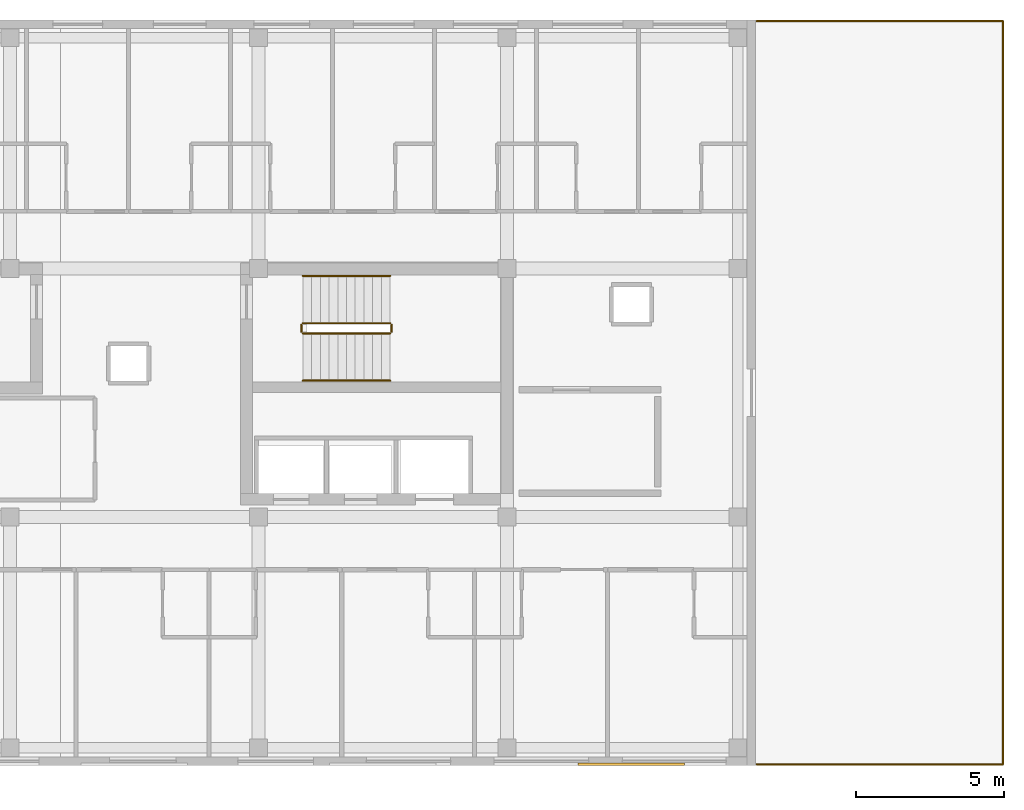
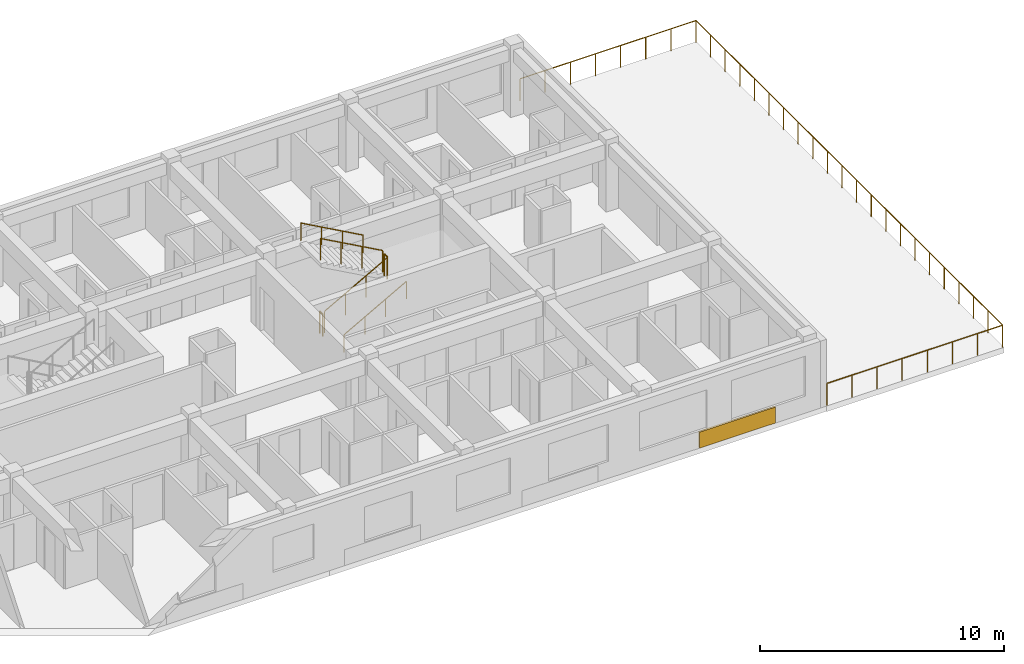
# One storey, part 9 of 9: 9 railings, 1 covering.
"""IFC4 building model written with IfcOpenShell, lengths in metres."""

import ifcopenshell
import ifcopenshell.guid

model = None  # the IFC model being written
_history = None  # IfcOwnerHistory: only IFC2X3 demands one
_inside = {}  # id of a spatial element -> (the spatial element, [elements in it])
_under = {}  # id of a project, library or spatial element -> (it, [spatial elements below it])
_declared = {}  # id of a project -> (the project, [libraries it declares])
_typed = {}  # id of a type object -> (the type object, [elements of that type])
_made_of = {}  # id of a material, layer set ... -> (it, [elements and type objects made of it])


def new_model(schema):
    """Start an empty IFC model of exactly this schema.

    Asked for "IFC4X3", IfcOpenShell would pick the latest addendum, in which some entities
    have other attributes; the version numbers below select the first issue.
    IFC2X3 requires an IfcOwnerHistory on every rooted entity: one is made here for all.
    """
    global model, _history
    if schema == "IFC4X3":
        model = ifcopenshell.file(schema_version=(4, 3, 0, 0))
    else:
        model = ifcopenshell.file(schema=schema)
    _inside.clear()
    _under.clear()
    _declared.clear()
    _typed.clear()
    _made_of.clear()
    _history = None
    if model.schema == "IFC2X3":
        org = make("IfcOrganization", Name="unknown")
        user = make(
            "IfcPersonAndOrganization",
            ThePerson=make("IfcPerson", FamilyName="unknown"),
            TheOrganization=org,
        )
        app = make(
            "IfcApplication",
            ApplicationDeveloper=org,
            Version="unknown",
            ApplicationFullName="unknown",
            ApplicationIdentifier="unknown",
        )
        _history = make(
            "IfcOwnerHistory",
            OwningUser=user,
            OwningApplication=app,
            ChangeAction="ADDED",
            CreationDate=0,
        )
    return model


def make(cls, **values):
    """One entity of the class cls with the attributes given. An attribute that is None is left unset."""
    return model.create_entity(
        cls, **{name: value for name, value in values.items() if value is not None}
    )


def rooted(cls, **values):
    """An entity with a GlobalId (a new one), such as an element, a storey or a relation."""
    return make(cls, GlobalId=ifcopenshell.guid.new(), OwnerHistory=_history, **values)


def si_unit(unit_type, name, prefix=None):
    """IfcSIUnit, for example si_unit("LENGTHUNIT", "METRE", prefix="MILLI")."""
    return make("IfcSIUnit", UnitType=unit_type, Prefix=prefix, Name=name)


def assignment(units):
    """IfcUnitAssignment: the units of a project."""
    return None if units is None else make("IfcUnitAssignment", Units=units)


def point(xyz):
    """IfcCartesianPoint."""
    return None if xyz is None else make("IfcCartesianPoint", Coordinates=xyz)


def direction(xyz):
    """IfcDirection."""
    return None if xyz is None else make("IfcDirection", DirectionRatios=xyz)


def frame(location, z_axis=None, x_axis=None):
    """IfcAxis2Placement3D, a coordinate frame: its origin and axes. An axis left out is left unset."""
    return make(
        "IfcAxis2Placement3D",
        Location=point(location),
        Axis=direction(z_axis),
        RefDirection=direction(x_axis),
    )


def frame_2d(location, x_axis=None):
    """IfcAxis2Placement2D, a coordinate frame in the plane: its origin and x axis."""
    return make(
        "IfcAxis2Placement2D", Location=point(location), RefDirection=direction(x_axis)
    )


def origin():
    """The frame at (0, 0, 0) with its axes left unset."""
    return frame((0.0, 0.0, 0.0))


def origin_2d():
    """The frame at (0, 0) in the plane with its x axis left unset."""
    return frame_2d((0.0, 0.0))


def place(relative_to, where):
    """IfcLocalPlacement: puts the frame where relative to a parent placement (None: the world)."""
    return make(
        "IfcLocalPlacement", PlacementRelTo=relative_to, RelativePlacement=where
    )


def context(
    kind, dimensions, precision=None, world=None, true_north=None, identifier=None
):
    """IfcGeometricRepresentationContext, for example the 3D "Model" context."""
    return make(
        "IfcGeometricRepresentationContext",
        ContextIdentifier=identifier,
        ContextType=kind,
        CoordinateSpaceDimension=dimensions,
        Precision=precision,
        WorldCoordinateSystem=world,
        TrueNorth=true_north,
    )


def subcontext(parent, identifier, kind, view, scale=None):
    """IfcGeometricRepresentationSubContext, for example "Body" below "Model"."""
    return make(
        "IfcGeometricRepresentationSubContext",
        ContextIdentifier=identifier,
        ContextType=kind,
        ParentContext=parent,
        TargetScale=scale,
        TargetView=view,
    )


def project(units=None, contexts=None):
    """IfcProject with its units and contexts."""
    return rooted(
        "IfcProject",
        Name="project",
        RepresentationContexts=contexts,
        UnitsInContext=assignment(units),
    )


def spatial(cls, under=None, at=None, **own):
    """A site, building, storey or space (cls), placed at a placement, below another one or the project."""
    s = rooted(cls, ObjectPlacement=at, **own)
    if under is not None:
        _under.setdefault(under.id(), (under, []))[1].append(s)
    return s


def profile(cls, at=None, kind="AREA", **sizes):
    """A parametric profile (cls). Its sizes go by their IFC names, for example OverallWidth=200.0."""
    return make(cls, ProfileType=kind, Position=at, **sizes)


def rectangle(**sizes):
    """IfcRectangleProfileDef."""
    return profile("IfcRectangleProfileDef", **sizes)


def circle(**sizes):
    """IfcCircleProfileDef."""
    return profile("IfcCircleProfileDef", **sizes)


def extrude(swept, where, along, depth):
    """IfcExtrudedAreaSolid: the profile swept, set in the frame where, extruded along a direction by depth."""
    return make(
        "IfcExtrudedAreaSolid",
        SweptArea=swept,
        Position=where,
        ExtrudedDirection=direction(along),
        Depth=depth,
    )


def shape(context_of_items, identifier, shape_type, items):
    """IfcShapeRepresentation: the items that make up one representation, for example the "Body"."""
    return make(
        "IfcShapeRepresentation",
        ContextOfItems=context_of_items,
        RepresentationIdentifier=identifier,
        RepresentationType=shape_type,
        Items=items,
    )


def material(Name=None, Category=None):
    """IfcMaterial."""
    return make("IfcMaterial", Name=Name, Category=Category)


def layer(
    of_material, thickness, ventilated=None, Name=None, Category=None, Priority=None
):
    """IfcMaterialLayer: one layer of a wall or slab, of a material (None: an air gap)."""
    return make(
        "IfcMaterialLayer",
        Material=of_material,
        LayerThickness=thickness,
        IsVentilated=ventilated,
        Name=Name,
        Category=Category,
        Priority=Priority,
    )


def layer_set(layers, Name=None):
    """IfcMaterialLayerSet."""
    return make("IfcMaterialLayerSet", MaterialLayers=layers, LayerSetName=Name)


def made_of(thing, what):
    """Note that an element or type object is made of a material, layer set ...; save() writes the relation."""
    if what is not None:
        _made_of.setdefault(what.id(), (what, []))[1].append(thing)
    return thing


def type_object(cls, material=None, **own):
    """A type object (cls), such as IfcWallType, which elements share."""
    return made_of(rooted(cls, **own), material)


def element(
    cls,
    number,
    at=None,
    inside=None,
    cuts=None,
    type_object=None,
    material=None,
    context=None,
    identifier="Body",
    shape_type=None,
    held_by="IfcProductDefinitionShape",
    body=None,
    shapes=None,
    **own,
):
    """One element of the class cls, such as IfcWall. Its Tag is "e" and its number.

    at: its placement. inside: the storey or other place that contains it. cuts: it is an
    opening in that element (IfcRelVoidsElement). A single representation is given by context,
    identifier, shape_type and body (its items); several are given by shapes. held_by: the class
    of the entity that holds the representations. save() writes the other relations.
    """
    e = rooted(cls, Tag="e%d" % number, ObjectPlacement=at, **own)
    if body is not None:
        shapes = [shape(context, identifier, shape_type, body)]
    if shapes is not None:
        e.Representation = make(held_by, Representations=shapes)
    if inside is not None:
        _inside.setdefault(inside.id(), (inside, []))[1].append(e)
    if cuts is not None:
        rooted(
            "IfcRelVoidsElement", RelatingBuildingElement=cuts, RelatedOpeningElement=e
        )
    if type_object is not None:
        _typed.setdefault(type_object.id(), (type_object, []))[1].append(e)
    return made_of(e, material)


def aggregate(whole, parts):
    """IfcRelAggregates: a whole, such as a stair, and the parts it consists of."""
    return rooted("IfcRelAggregates", RelatingObject=whole, RelatedObjects=parts)


def save(model, path):
    """Write the relations noted so far, then the file.

    IfcRelAggregates (storeys below a building ...), IfcRelContainedInSpatialStructure (elements
    in a storey), IfcRelDefinesByType, IfcRelAssociatesMaterial and IfcRelDeclares: one each for
    every whole, place, type object, material and project.
    """
    for whole, parts in _under.values():
        aggregate(whole, parts)
    for where, things in _inside.values():
        rooted(
            "IfcRelContainedInSpatialStructure",
            RelatedElements=things,
            RelatingStructure=where,
        )
    for kind, things in _typed.values():
        rooted("IfcRelDefinesByType", RelatedObjects=things, RelatingType=kind)
    for what, things in _made_of.values():
        rooted("IfcRelAssociatesMaterial", RelatedObjects=things, RelatingMaterial=what)
    for by, libraries in _declared.values():
        rooted("IfcRelDeclares", RelatingContext=by, RelatedDefinitions=libraries)
    model.write(path)


model = new_model("IFC4")

# Units and contexts
model_context = context("Model", 3, precision=1e-05, world=origin(), true_north=direction((0.0, 1.0)))
body_context = subcontext(model_context, "Body", "Model", "MODEL_VIEW")
ifc_project = project(units=[si_unit("LENGTHUNIT", "METRE"), si_unit("AREAUNIT", "SQUARE_METRE"), si_unit("VOLUMEUNIT", "CUBIC_METRE"), si_unit("PLANEANGLEUNIT", "RADIAN"), si_unit("MASSUNIT", "GRAM", prefix="KILO")], contexts=[model_context])

# Site, building, storey
site_placement = place(None, origin())
site = spatial("IfcSite", under=ifc_project, at=site_placement, CompositionType="ELEMENT")
building_placement = place(site_placement, origin())
building = spatial("IfcBuilding", under=site, at=building_placement, Name="Zayran Congress Hotel", CompositionType="ELEMENT")
storey_placement = place(building_placement, frame((0.0, 0.0, 40.800048828125)))
storey = spatial("IfcBuildingStorey", under=building, at=storey_placement, Name="L10", CompositionType="ELEMENT", Elevation=40.800048828125)

# Covering
ifc_material_1 = material(Name="Ochre geometric bas-relief Hajar Ma'ani stone", Category="masonry")
ifc_layer = layer(ifc_material_1, 0.090087890625)
ifc_layer_set = layer_set([ifc_layer], Name="Ochre geometric bas-relief Hajar Ma'ani stone")
covering_type = type_object("IfcCoveringType", Name="TP-CLD-01", PredefinedType="CLADDING", material=ifc_layer_set)
covering_placement = place(storey_placement, frame((63.0, 8.844970703125, 0.0), z_axis=(0.0, 0.0, 1.0), x_axis=(1.0, 0.0, 0.0)))
element("IfcCovering", 1, at=covering_placement, inside=storey, type_object=covering_type, Name="CLD-V5S-L10-5", PredefinedType="CLADDING", context=body_context, shape_type="SweptSolid", body=[
    extrude(rectangle(XDim=3.60009765625, YDim=0.090087890625, at=origin_2d()), origin(), (0.0, 0.0, 1.0), 0.800048828125),
])

# Railings
ifc_material_2 = material(Name="Warm bronze anodised aluminium balustrade", Category="aluminium")
railing_type_1 = type_object("IfcRailingType", Name="TP-GRD-EXT", PredefinedType="GUARDRAIL", material=ifc_material_2)
railing_1_placement = place(storey_placement, frame((67.239990234375, 8.840087890625, 0.0)))
element("IfcRailing", 2, at=railing_1_placement, inside=storey, type_object=railing_type_1, Name="V5 L10 Terrace Perimeter Guard S", PredefinedType="GUARDRAIL", context=body_context, shape_type="SweptSolid", body=[
    extrude(circle(Radius=0.02392578125, at=origin_2d()), frame((0.0, 0.0, 1.09619140625), z_axis=(1.0, 0.0, 0.0), x_axis=(0.0, 1.0, 0.0)), (0.0, 0.0, 1.0), 8.320068359375),
    extrude(circle(Radius=0.02099609375, at=origin_2d()), origin(), (0.0, 0.0, 1.0), 1.072021484375),
    extrude(circle(Radius=0.02099609375, at=origin_2d()), frame((1.1884765625, 0.0, 0.0)), (0.0, 0.0, 1.0), 1.072021484375),
    extrude(circle(Radius=0.02099609375, at=origin_2d()), frame((2.377197265625, 0.0, 0.0)), (0.0, 0.0, 1.0), 1.072021484375),
    extrude(circle(Radius=0.02099609375, at=origin_2d()), frame((3.565673828125, 0.0, 0.0)), (0.0, 0.0, 1.0), 1.072021484375),
    extrude(circle(Radius=0.02099609375, at=origin_2d()), frame((4.75439453125, 0.0, 0.0)), (0.0, 0.0, 1.0), 1.072021484375),
    extrude(circle(Radius=0.02099609375, at=origin_2d()), frame((5.94287109375, 0.0, 0.0)), (0.0, 0.0, 1.0), 1.072021484375),
    extrude(circle(Radius=0.02099609375, at=origin_2d()), frame((7.131591796875, 0.0, 0.0)), (0.0, 0.0, 1.0), 1.072021484375),
    extrude(circle(Radius=0.02099609375, at=origin_2d()), frame((8.320068359375, 0.0, 0.0)), (0.0, 0.0, 1.0), 1.072021484375),
])
railing_2_placement = place(storey_placement, frame((75.56005859375, 33.9599609375, 0.0)))
element("IfcRailing", 3, at=railing_2_placement, inside=storey, type_object=railing_type_1, Name="V5 L10 Terrace Perimeter Guard N", PredefinedType="GUARDRAIL", context=body_context, shape_type="SweptSolid", body=[
    extrude(circle(Radius=0.02392578125, at=origin_2d()), frame((0.0, 0.0, 1.09619140625), z_axis=(-1.0, 0.0, 0.0), x_axis=(0.0, -1.0, 0.0)), (0.0, 0.0, 1.0), 8.320068359375),
    extrude(circle(Radius=0.02099609375, at=origin_2d()), origin(), (0.0, 0.0, 1.0), 1.072021484375),
    extrude(circle(Radius=0.02099609375, at=origin_2d()), frame((-1.1884765625, 0.0, 0.0)), (0.0, 0.0, 1.0), 1.072021484375),
    extrude(circle(Radius=0.02099609375, at=origin_2d()), frame((-2.377197265625, 0.0, 0.0)), (0.0, 0.0, 1.0), 1.072021484375),
    extrude(circle(Radius=0.02099609375, at=origin_2d()), frame((-3.565673828125, 0.0, 0.0)), (0.0, 0.0, 1.0), 1.072021484375),
    extrude(circle(Radius=0.02099609375, at=origin_2d()), frame((-4.75439453125, 0.0, 0.0)), (0.0, 0.0, 1.0), 1.072021484375),
    extrude(circle(Radius=0.02099609375, at=origin_2d()), frame((-5.94287109375, 0.0, 0.0)), (0.0, 0.0, 1.0), 1.072021484375),
    extrude(circle(Radius=0.02099609375, at=origin_2d()), frame((-7.131591796875, 0.0, 0.0)), (0.0, 0.0, 1.0), 1.072021484375),
    extrude(circle(Radius=0.02099609375, at=origin_2d()), frame((-8.320068359375, 0.0, 0.0)), (0.0, 0.0, 1.0), 1.072021484375),
])
railing_3_placement = place(storey_placement, frame((75.56005859375, 8.840087890625, 0.0)))
element("IfcRailing", 4, at=railing_3_placement, inside=storey, type_object=railing_type_1, Name="V5 L10 Terrace Perimeter Guard E", PredefinedType="GUARDRAIL", context=body_context, shape_type="SweptSolid", body=[
    extrude(circle(Radius=0.02392578125, at=origin_2d()), frame((0.0, 0.0, 1.09619140625), z_axis=(0.0, 1.0, 0.0), x_axis=(-1.0, 0.0, 0.0)), (0.0, 0.0, 1.0), 25.119873046875),
    extrude(circle(Radius=0.02099609375, at=origin_2d()), origin(), (0.0, 0.0, 1.0), 1.072021484375),
    extrude(circle(Radius=0.02099609375, at=origin_2d()), frame((0.0, 1.1962890625, 0.0)), (0.0, 0.0, 1.0), 1.072021484375),
    extrude(circle(Radius=0.02099609375, at=origin_2d()), frame((0.0, 2.392333984375, 0.0)), (0.0, 0.0, 1.0), 1.072021484375),
    extrude(circle(Radius=0.02099609375, at=origin_2d()), frame((0.0, 3.588623046875, 0.0)), (0.0, 0.0, 1.0), 1.072021484375),
    extrude(circle(Radius=0.02099609375, at=origin_2d()), frame((0.0, 4.78466796875, 0.0)), (0.0, 0.0, 1.0), 1.072021484375),
    extrude(circle(Radius=0.02099609375, at=origin_2d()), frame((0.0, 5.98095703125, 0.0)), (0.0, 0.0, 1.0), 1.072021484375),
    extrude(circle(Radius=0.02099609375, at=origin_2d()), frame((0.0, 7.177001953125, 0.0)), (0.0, 0.0, 1.0), 1.072021484375),
    extrude(circle(Radius=0.02099609375, at=origin_2d()), frame((0.0, 8.373291015625, 0.0)), (0.0, 0.0, 1.0), 1.072021484375),
    extrude(circle(Radius=0.02099609375, at=origin_2d()), frame((0.0, 9.569580078125, 0.0)), (0.0, 0.0, 1.0), 1.072021484375),
    extrude(circle(Radius=0.02099609375, at=origin_2d()), frame((0.0, 10.765625, 0.0)), (0.0, 0.0, 1.0), 1.072021484375),
    extrude(circle(Radius=0.02099609375, at=origin_2d()), frame((0.0, 11.9619140625, 0.0)), (0.0, 0.0, 1.0), 1.072021484375),
    extrude(circle(Radius=0.02099609375, at=origin_2d()), frame((0.0, 13.157958984375, 0.0)), (0.0, 0.0, 1.0), 1.072021484375),
    extrude(circle(Radius=0.02099609375, at=origin_2d()), frame((0.0, 14.354248046875, 0.0)), (0.0, 0.0, 1.0), 1.072021484375),
    extrude(circle(Radius=0.02099609375, at=origin_2d()), frame((0.0, 15.55029296875, 0.0)), (0.0, 0.0, 1.0), 1.072021484375),
    extrude(circle(Radius=0.02099609375, at=origin_2d()), frame((0.0, 16.74658203125, 0.0)), (0.0, 0.0, 1.0), 1.072021484375),
    extrude(circle(Radius=0.02099609375, at=origin_2d()), frame((0.0, 17.94287109375, 0.0)), (0.0, 0.0, 1.0), 1.072021484375),
    extrude(circle(Radius=0.02099609375, at=origin_2d()), frame((0.0, 19.138916015625, 0.0)), (0.0, 0.0, 1.0), 1.072021484375),
    extrude(circle(Radius=0.02099609375, at=origin_2d()), frame((0.0, 20.335205078125, 0.0)), (0.0, 0.0, 1.0), 1.072021484375),
    extrude(circle(Radius=0.02099609375, at=origin_2d()), frame((0.0, 21.53125, 0.0)), (0.0, 0.0, 1.0), 1.072021484375),
    extrude(circle(Radius=0.02099609375, at=origin_2d()), frame((0.0, 22.7275390625, 0.0)), (0.0, 0.0, 1.0), 1.072021484375),
    extrude(circle(Radius=0.02099609375, at=origin_2d()), frame((0.0, 23.923583984375, 0.0)), (0.0, 0.0, 1.0), 1.072021484375),
    extrude(circle(Radius=0.02099609375, at=origin_2d()), frame((0.0, 25.119873046875, 0.0)), (0.0, 0.0, 1.0), 1.072021484375),
])
ifc_material_3 = material(Name="Painted steel balustrade", Category="steel")
railing_type_2 = type_object("IfcRailingType", Name="TP-GRD-INT", PredefinedType="GUARDRAIL", material=ifc_material_3)
railing_4_placement = place(storey_placement, frame((51.89990234375, 23.409912109375, 0.16357421875)))
element("IfcRailing", 5, at=railing_4_placement, inside=storey, type_object=railing_type_2, Name="L10 ST-02 stair guard 1", PredefinedType="GUARDRAIL", context=body_context, shape_type="SweptSolid", body=[
    extrude(circle(Radius=0.02392578125, at=origin_2d()), frame((0.0, 0.0, 1.076171875), z_axis=(0.87447454536, 0.0, 0.485071406616), x_axis=(0.0, 1.0, 0.0)), (0.0, 0.0, 1.0), 3.373779296875),
    extrude(circle(Radius=0.02099609375, at=origin_2d()), origin(), (0.0, 0.0, 1.0), 1.052001953125),
    extrude(circle(Radius=0.02099609375, at=origin_2d()), frame((0.9833984375, 0.0, 0.54541015625)), (0.0, 0.0, 1.0), 1.052001953125),
    extrude(circle(Radius=0.02099609375, at=origin_2d()), frame((1.966796875, 0.0, 1.091064453125)), (0.0, 0.0, 1.0), 1.052001953125),
    extrude(circle(Radius=0.02099609375, at=origin_2d()), frame((2.9501953125, 0.0, 1.636474609375)), (0.0, 0.0, 1.0), 1.052001953125),
])
railing_5_placement = place(storey_placement, frame((54.89990234375, 23.4599609375, 1.800048828125)))
element("IfcRailing", 6, at=railing_5_placement, inside=storey, type_object=railing_type_2, Name="L10 ST-02 stair guard 2", PredefinedType="GUARDRAIL", context=body_context, shape_type="SweptSolid", body=[
    extrude(circle(Radius=0.02392578125, at=origin_2d()), frame((0.0, 0.0, 1.076171875), z_axis=(0.0, 1.0, 0.0), x_axis=(-1.0, 0.0, 0.0)), (0.0, 0.0, 1.0), 0.239990234375),
    extrude(circle(Radius=0.02099609375, at=origin_2d()), origin(), (0.0, 0.0, 1.0), 1.052001953125),
    extrude(circle(Radius=0.02099609375, at=origin_2d()), frame((0.0, 0.239990234375, 0.0)), (0.0, 0.0, 1.0), 1.052001953125),
])
railing_6_placement = place(storey_placement, frame((54.85009765625, 23.75, 1.963623046875)))
element("IfcRailing", 7, at=railing_6_placement, inside=storey, type_object=railing_type_2, Name="L10 ST-02 stair guard 3", PredefinedType="GUARDRAIL", context=body_context, shape_type="SweptSolid", body=[
    extrude(circle(Radius=0.02392578125, at=origin_2d()), frame((0.0, 0.0, 1.076171875), z_axis=(-0.874505241218, 0.0, 0.485016064767), x_axis=(0.0, -1.0, 0.0)), (0.0, 0.0, 1.0), 3.37353515625),
    extrude(circle(Radius=0.02099609375, at=origin_2d()), origin(), (0.0, 0.0, 1.0), 1.052001953125),
    extrude(circle(Radius=0.02099609375, at=origin_2d()), frame((-0.9833984375, 0.0, 0.54541015625)), (0.0, 0.0, 1.0), 1.052001953125),
    extrude(circle(Radius=0.02099609375, at=origin_2d()), frame((-1.966796875, 0.0, 1.0908203125)), (0.0, 0.0, 1.0), 1.052001953125),
    extrude(circle(Radius=0.02099609375, at=origin_2d()), frame((-2.9501953125, 0.0, 1.63623046875)), (0.0, 0.0, 1.0), 1.052001953125),
])
railing_7_placement = place(storey_placement, frame((51.85009765625, 23.4599609375, 0.0)))
element("IfcRailing", 8, at=railing_7_placement, inside=storey, type_object=railing_type_2, Name="L10 ST-02 stair guard 4", PredefinedType="GUARDRAIL", context=body_context, shape_type="SweptSolid", body=[
    extrude(circle(Radius=0.02392578125, at=origin_2d()), frame((0.0, 0.0, 1.076171875), z_axis=(0.0, 1.0, 0.0), x_axis=(-1.0, 0.0, 0.0)), (0.0, 0.0, 1.0), 0.239990234375),
    extrude(circle(Radius=0.02099609375, at=origin_2d()), origin(), (0.0, 0.0, 1.0), 1.052001953125),
    extrude(circle(Radius=0.02099609375, at=origin_2d()), frame((0.0, 0.239990234375, 0.0)), (0.0, 0.0, 1.0), 1.052001953125),
])
ifc_material_4 = material(Name="Brushed stainless steel handrail", Category="steel")
railing_type_3 = type_object("IfcRailingType", Name="TP-HND-STR", PredefinedType="HANDRAIL", material=ifc_material_4)
railing_8_placement = place(storey_placement, frame((51.89990234375, 21.81005859375, 0.16357421875)))
element("IfcRailing", 9, at=railing_8_placement, inside=storey, type_object=railing_type_3, Name="L10 ST-02 stair handrail 1", PredefinedType="HANDRAIL", context=body_context, shape_type="SweptSolid", body=[
    extrude(circle(Radius=0.02392578125, at=origin_2d()), frame((0.0, 0.0, 0.8759765625), z_axis=(0.87447454536, 0.0, 0.485071406616), x_axis=(0.0, 1.0, 0.0)), (0.0, 0.0, 1.0), 3.373779296875),
    extrude(circle(Radius=0.02099609375, at=origin_2d()), origin(), (0.0, 0.0, 1.0), 0.851806640625),
    extrude(circle(Radius=0.02099609375, at=origin_2d()), frame((0.9833984375, 0.0, 0.54541015625)), (0.0, 0.0, 1.0), 0.851806640625),
    extrude(circle(Radius=0.02099609375, at=origin_2d()), frame((1.966796875, 0.0, 1.091064453125)), (0.0, 0.0, 1.0), 0.851806640625),
    extrude(circle(Radius=0.02099609375, at=origin_2d()), frame((2.9501953125, 0.0, 1.636474609375)), (0.0, 0.0, 1.0), 0.851806640625),
])
railing_9_placement = place(storey_placement, frame((54.85009765625, 25.35009765625, 1.963623046875)))
element("IfcRailing", 10, at=railing_9_placement, inside=storey, type_object=railing_type_3, Name="L10 ST-02 stair handrail 2", PredefinedType="HANDRAIL", context=body_context, shape_type="SweptSolid", body=[
    extrude(circle(Radius=0.02392578125, at=origin_2d()), frame((0.0, 0.0, 0.8759765625), z_axis=(-0.874505241218, 0.0, 0.485016064767), x_axis=(0.0, -1.0, 0.0)), (0.0, 0.0, 1.0), 3.37353515625),
    extrude(circle(Radius=0.02099609375, at=origin_2d()), origin(), (0.0, 0.0, 1.0), 0.851806640625),
    extrude(circle(Radius=0.02099609375, at=origin_2d()), frame((-0.9833984375, 0.0, 0.54541015625)), (0.0, 0.0, 1.0), 0.851806640625),
    extrude(circle(Radius=0.02099609375, at=origin_2d()), frame((-1.966796875, 0.0, 1.0908203125)), (0.0, 0.0, 1.0), 0.851806640625),
    extrude(circle(Radius=0.02099609375, at=origin_2d()), frame((-2.9501953125, 0.0, 1.63623046875)), (0.0, 0.0, 1.0), 0.851806640625),
])

save(model, "model.ifc")
